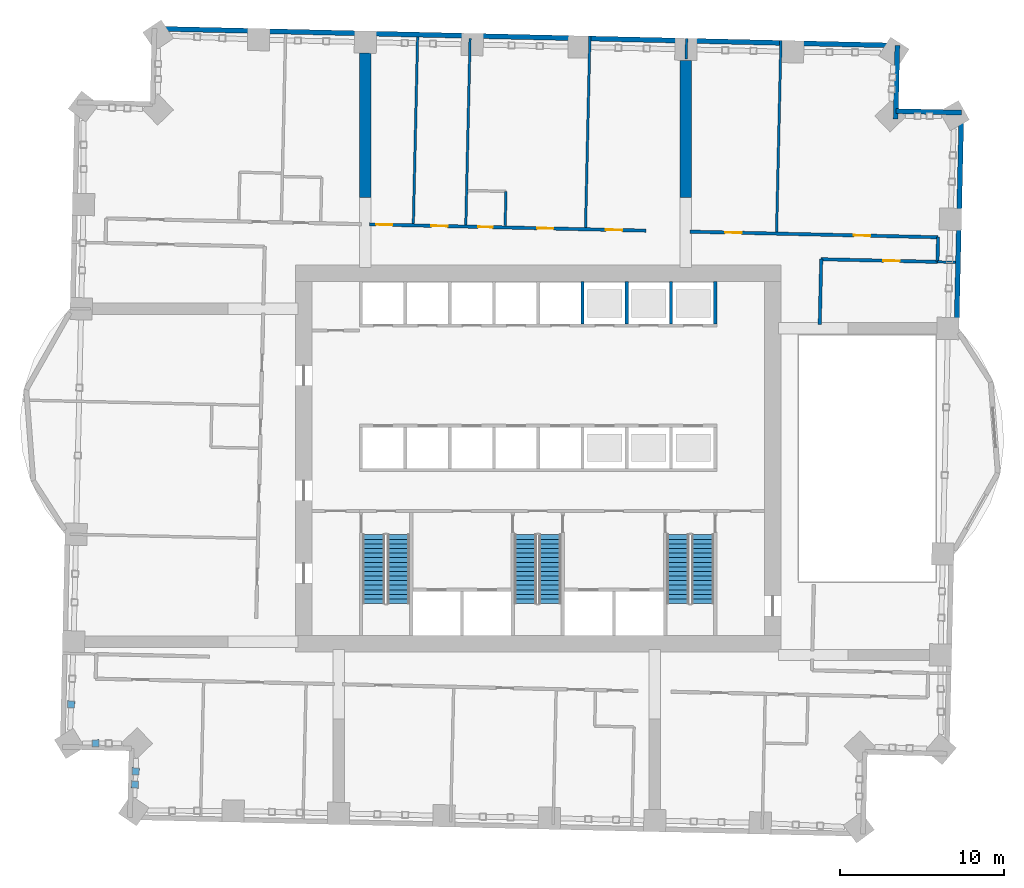
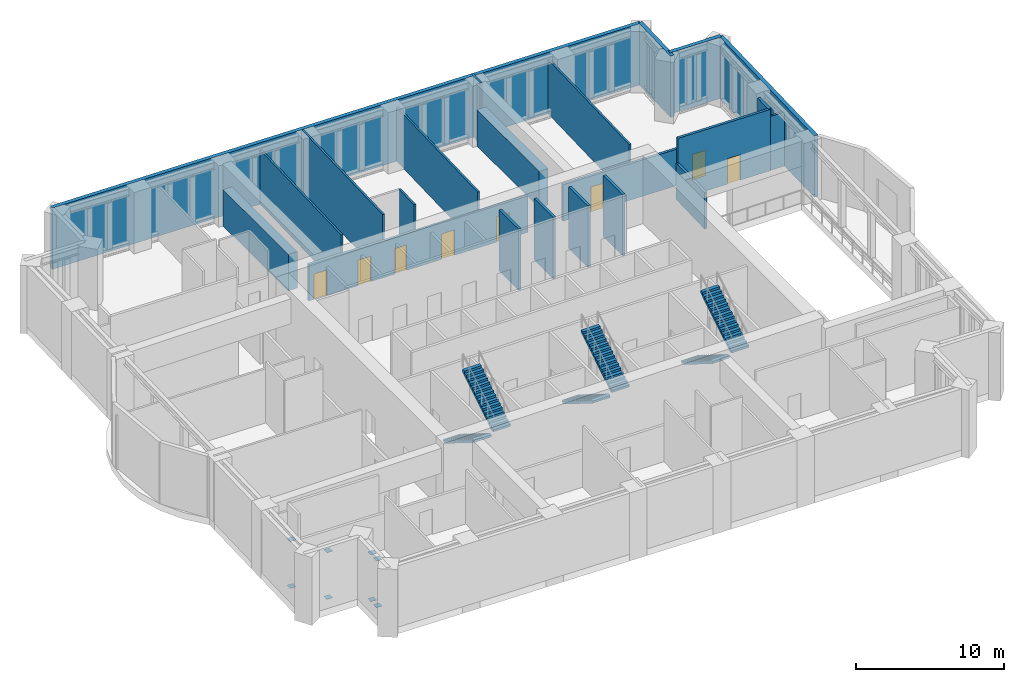
# One storey, part 9 of 13: 22 walls, 8 discrete accessories, 8 doors, 6 stair flights, 8 openings, 3 elements without a shape of their own.
"""IFC4 building model written with IfcOpenShell, lengths in metres."""

from ifc_helpers import new_model, si_unit, direction, frame, frame_2d, origin, origin_2d, place, context, subcontext, project, spatial, polyline, rectangle, outline, extrude, material, layer, layer_set, type_object, element, fill, aggregate, save


model = new_model("IFC4")

# Units and contexts
model_context = context("Model", 3, precision=1e-05, world=origin(), true_north=direction((0.0, 1.0)))
body_context = subcontext(model_context, "Body", "Model", "MODEL_VIEW")
ifc_project = project(units=[si_unit("LENGTHUNIT", "METRE"), si_unit("AREAUNIT", "SQUARE_METRE"), si_unit("VOLUMEUNIT", "CUBIC_METRE"), si_unit("PLANEANGLEUNIT", "RADIAN"), si_unit("MASSUNIT", "GRAM", prefix="KILO")], contexts=[model_context])

# Site, building, storey
site_placement = place(None, origin())
site = spatial("IfcSite", under=ifc_project, at=site_placement, CompositionType="ELEMENT")
building_placement = place(site_placement, origin())
building = spatial("IfcBuilding", under=site, at=building_placement, Name="Mangrove Gate Tower", CompositionType="ELEMENT")
storey_placement = place(building_placement, frame((0.0, 0.0, 119.89990234375)))
storey = spatial("IfcBuildingStorey", under=building, at=storey_placement, Name="L30", CompositionType="ELEMENT", Elevation=119.89990234375)

# Walls
ifc_material_1 = material(Name="Concrete C70/85", Category="concrete")
ifc_layer_1 = layer(ifc_material_1, 0.199951171875)
ifc_layer_set_1 = layer_set([ifc_layer_1], Name="Core shaft wall 200 C70/85")
wall_type_1 = type_object("IfcWallType", Name="Core shaft wall 200 C70/85", PredefinedType="SHEAR", material=ifc_layer_set_1)
for number, where, z_axis, x_axis, name in (
    (1, (2.699951171875, 8.199951171875, 0.0), (0.0, 0.0, 1.0), (0.0, 1.0, 0.0), "WALL-L30-CORE-33"),
    (2, (5.39990234375, 8.199951171875, 0.0), (0.0, 0.0, 1.0), (0.0, 1.0, 0.0), "WALL-L30-CORE-34"),
    (3, (8.10009765625, 8.199951171875, 0.0), (0.0, 0.0, 1.0), (0.0, 1.0, 0.0), "WALL-L30-CORE-35"),
    (4, (10.800048828125, 8.199951171875, 0.0), (0.0, 0.0, 1.0), (0.0, 1.0, 0.0), "WALL-L30-CORE-36"),
):
    element("IfcWall", number, at=place(storey_placement, frame(where, z_axis=z_axis, x_axis=x_axis)), inside=storey, type_object=wall_type_1, Name=name, PredefinedType="SHEAR", context=body_context, shape_type="SweptSolid", body=[
        extrude(rectangle(XDim=2.60009765625, YDim=0.199951171875, at=frame_2d((1.300048828125, 0.0))), origin(), (0.0, 0.0, 1.0), 5.050048828125),
    ])
ifc_material_2 = material(Name="Gypsum board on steel stud, EI 60", Category="steel")
ifc_layer_2 = layer(ifc_material_2, 0.199951171875)
ifc_layer_set_2 = layer_set([ifc_layer_2], Name="Corridor wall EI 60")
wall_type_2 = type_object("IfcWallType", Name="Corridor wall EI 60", PredefinedType="PARTITIONING", material=ifc_layer_set_2)
wall_1_placement = place(storey_placement, frame((17.1630859375, 8.169921875, 0.0), z_axis=(0.0, 0.0, 1.0), x_axis=(0.022573703938, 0.999745181479, 0.0)))
element("IfcWall", 5, at=wall_1_placement, inside=storey, type_object=wall_type_2, Name="WALL-L30-028", PredefinedType="PARTITIONING", context=body_context, shape_type="SweptSolid", body=[
    extrude(rectangle(XDim=3.97998046875, YDim=0.199951171875, at=frame_2d((1.989990234375, 0.0))), origin(), (0.0, 0.0, 1.0), 3.0),
])

# Wall, opening, door
wall_2_placement = place(storey_placement, frame((17.248046875, 12.14501953125, 0.0), z_axis=(0.0, 0.0, 1.0), x_axis=(0.999742350192, -0.022698749566, 0.0)))
wall_2 = element("IfcWall", 6, at=wall_2_placement, inside=storey, type_object=wall_type_2, Name="WALL-L30-032", PredefinedType="PARTITIONING", context=body_context, shape_type="SweptSolid", body=[
    extrude(rectangle(XDim=7.0986328125, YDim=0.199951171875, at=frame_2d((3.54931640625, 0.0))), origin(), (0.0, 0.0, 1.0), 5.050048828125),
])
opening_1_placement = place(wall_2_placement, frame((3.7900390625, 0.0, 0.0)))
opening_1 = element("IfcOpeningElement", 7, at=opening_1_placement, cuts=wall_2, Name="Opening AD", PredefinedType="OPENING", context=body_context, shape_type="SweptSolid", body=[
    extrude(rectangle(XDim=1.0, YDim=2.10009765625, at=frame_2d((0.5, 1.050048828125))), frame((0.0, 0.10986328125, 0.0), z_axis=(0.0, -1.0, 0.0), x_axis=(1.0, 0.0, 0.0)), (0.0, 0.0, 1.0), 0.219970703125),
])
ifc_material_3 = material(Name="Timber door leaf", Category="wood")
door_type_1 = type_object("IfcDoorType", Name="Amenity door 1000", OperationType="SINGLE_SWING_LEFT", PredefinedType="DOOR", material=ifc_material_3)
door_1_placement = place(opening_1_placement, origin())
door_1 = element("IfcDoor", 8, at=door_1_placement, inside=storey, type_object=door_type_1, Name="DOOR-L30-KIT-c3a", OperationType="SINGLE_SWING_LEFT", OverallHeight=2.10009765625, OverallWidth=1.0, PredefinedType="DOOR", context=body_context, shape_type="SweptSolid", body=[
    extrude(rectangle(XDim=1.0, YDim=2.10009765625, at=frame_2d((0.5, 1.050048828125))), frame((0.0, 0.02490234375, 0.0), z_axis=(0.0, -1.0, 0.0), x_axis=(1.0, 0.0, 0.0)), (0.0, 0.0, 1.0), 0.050048828125),
])
fill(opening_1, door_1)

# Wall
wall_3_placement = place(storey_placement, frame((24.341064453125, 11.988037109375, 0.0), z_axis=(0.0, 0.0, 1.0), x_axis=(0.022617910375, 0.999744182344, 0.0)))
element("IfcWall", 9, at=wall_3_placement, inside=storey, type_object=wall_type_2, Name="WALL-L30-035", PredefinedType="PARTITIONING", context=body_context, shape_type="SweptSolid", body=[
    extrude(rectangle(XDim=1.50048828125, YDim=0.199951171875, at=frame_2d((0.750244140625, 0.0))), origin(), (0.0, 0.0, 1.0), 5.050048828125),
])

# Wall, openings, doors
wall_4_placement = place(storey_placement, frame((-10.291015625, 14.27001953125, 0.0), z_axis=(0.0, 0.0, 1.0), x_axis=(0.999743654737, -0.022641219317, 0.0)))
wall_4 = element("IfcWall", 10, at=wall_4_placement, inside=storey, type_object=wall_type_2, Name="WALL-L30-037", PredefinedType="PARTITIONING", context=body_context, shape_type="SweptSolid", body=[
    extrude(rectangle(XDim=16.87548828125, YDim=0.199951171875, at=frame_2d((8.437744140625, 0.0))), origin(), (0.0, 0.0, 1.0), 3.0),
])
opening_2_placement = place(wall_4_placement, frame((14.4208984375, 0.0, 0.0)))
opening_2 = element("IfcOpeningElement", 11, at=opening_2_placement, cuts=wall_4, Name="Opening AD", PredefinedType="OPENING", context=body_context, shape_type="SweptSolid", body=[
    extrude(rectangle(XDim=1.0, YDim=2.10009765625, at=frame_2d((0.5, 1.050048828125))), frame((0.0, 0.10986328125, 0.0), z_axis=(0.0, -1.0, 0.0), x_axis=(1.0, 0.0, 0.0)), (0.0, 0.0, 1.0), 0.219970703125),
])
opening_3_placement = place(wall_4_placement, frame((10.220947265625, 0.0, 0.0)))
opening_3 = element("IfcOpeningElement", 12, at=opening_3_placement, cuts=wall_4, Name="Opening AD", PredefinedType="OPENING", context=body_context, shape_type="SweptSolid", body=[
    extrude(rectangle(XDim=1.0, YDim=2.10009765625, at=frame_2d((0.5, 1.050048828125))), frame((0.0, 0.10986328125, 0.0), z_axis=(0.0, -1.0, 0.0), x_axis=(1.0, 0.0, 0.0)), (0.0, 0.0, 1.0), 0.219970703125),
])
opening_4_placement = place(wall_4_placement, frame((6.62109375, 0.0, 0.0)))
opening_4 = element("IfcOpeningElement", 13, at=opening_4_placement, cuts=wall_4, Name="Opening SD", PredefinedType="OPENING", context=body_context, shape_type="SweptSolid", body=[
    extrude(rectangle(XDim=0.89990234375, YDim=2.10009765625, at=frame_2d((0.449951171875, 1.050048828125))), frame((0.0, 0.10986328125, 0.0), z_axis=(0.0, -1.0, 0.0), x_axis=(1.0, 0.0, 0.0)), (0.0, 0.0, 1.0), 0.219970703125),
])
opening_5_placement = place(wall_4_placement, frame((3.77099609375, 0.0, 0.0)))
opening_5 = element("IfcOpeningElement", 14, at=opening_5_placement, cuts=wall_4, Name="Opening AD", PredefinedType="OPENING", context=body_context, shape_type="SweptSolid", body=[
    extrude(rectangle(XDim=1.0, YDim=2.10009765625, at=frame_2d((0.5, 1.050048828125))), frame((0.0, 0.10986328125, 0.0), z_axis=(0.0, -1.0, 0.0), x_axis=(1.0, 0.0, 0.0)), (0.0, 0.0, 1.0), 0.219970703125),
])
opening_6_placement = place(wall_4_placement, frame((0.404052734375, 0.0, 0.0)))
opening_6 = element("IfcOpeningElement", 15, at=opening_6_placement, cuts=wall_4, Name="Opening AD", PredefinedType="OPENING", context=body_context, shape_type="SweptSolid", body=[
    extrude(rectangle(XDim=1.0, YDim=2.10009765625, at=frame_2d((0.5, 1.050048828125))), frame((0.0, 0.10986328125, 0.0), z_axis=(0.0, -1.0, 0.0), x_axis=(1.0, 0.0, 0.0)), (0.0, 0.0, 1.0), 0.219970703125),
])
door_2_placement = place(opening_2_placement, origin())
door_2 = element("IfcDoor", 16, at=door_2_placement, inside=storey, type_object=door_type_1, Name="DOOR-L30-KIT-c3c", OperationType="SINGLE_SWING_RIGHT", OverallHeight=2.10009765625, OverallWidth=1.0, PredefinedType="DOOR", context=body_context, shape_type="SweptSolid", body=[
    extrude(rectangle(XDim=1.0, YDim=2.10009765625, at=frame_2d((0.5, 1.050048828125))), frame((0.0, 0.02490234375, 0.0), z_axis=(0.0, -1.0, 0.0), x_axis=(1.0, 0.0, 0.0)), (0.0, 0.0, 1.0), 0.050048828125),
])
fill(opening_2, door_2)
door_3_placement = place(opening_3_placement, origin())
door_3 = element("IfcDoor", 17, at=door_3_placement, inside=storey, type_object=door_type_1, Name="DOOR-L30-GAM-c4a", OperationType="SINGLE_SWING_LEFT", OverallHeight=2.10009765625, OverallWidth=1.0, PredefinedType="DOOR", context=body_context, shape_type="SweptSolid", body=[
    extrude(rectangle(XDim=1.0, YDim=2.10009765625, at=frame_2d((0.5, 1.050048828125))), frame((0.0, 0.02490234375, 0.0), z_axis=(0.0, -1.0, 0.0), x_axis=(1.0, 0.0, 0.0)), (0.0, 0.0, 1.0), 0.050048828125),
])
fill(opening_3, door_3)
door_4_placement = place(opening_5_placement, origin())
door_4 = element("IfcDoor", 18, at=door_4_placement, inside=storey, type_object=door_type_1, Name="DOOR-L30-STU-c4a", OperationType="SINGLE_SWING_RIGHT", OverallHeight=2.10009765625, OverallWidth=1.0, PredefinedType="DOOR", context=body_context, shape_type="SweptSolid", body=[
    extrude(rectangle(XDim=1.0, YDim=2.10009765625, at=frame_2d((0.5, 1.050048828125))), frame((0.0, 0.02490234375, 0.0), z_axis=(0.0, -1.0, 0.0), x_axis=(1.0, 0.0, 0.0)), (0.0, 0.0, 1.0), 0.050048828125),
])
fill(opening_5, door_4)
door_5_placement = place(opening_6_placement, origin())
door_5 = element("IfcDoor", 19, at=door_5_placement, inside=storey, type_object=door_type_1, Name="DOOR-L30-LNG-c4a", OperationType="SINGLE_SWING_LEFT", OverallHeight=2.10009765625, OverallWidth=1.0, PredefinedType="DOOR", context=body_context, shape_type="SweptSolid", body=[
    extrude(rectangle(XDim=1.0, YDim=2.10009765625, at=frame_2d((0.5, 1.050048828125))), frame((0.0, 0.02490234375, 0.0), z_axis=(0.0, -1.0, 0.0), x_axis=(1.0, 0.0, 0.0)), (0.0, 0.0, 1.0), 0.050048828125),
])
fill(opening_6, door_5)
ifc_material_4 = material(Name="Timber door leaf", Category="wood")
door_type_2 = type_object("IfcDoorType", Name="Service room door 900", OperationType="SINGLE_SWING_LEFT", PredefinedType="DOOR", material=ifc_material_4)
door_6_placement = place(opening_4_placement, origin())
door_6 = element("IfcDoor", 20, at=door_6_placement, inside=storey, type_object=door_type_2, Name="DOOR-L30-LIN-c4a", OperationType="SINGLE_SWING_LEFT", OverallHeight=2.10009765625, OverallWidth=0.89990234375, PredefinedType="DOOR", context=body_context, shape_type="SweptSolid", body=[
    extrude(rectangle(XDim=0.89990234375, YDim=2.10009765625, at=frame_2d((0.449951171875, 1.050048828125))), frame((0.0, 0.02490234375, 0.0), z_axis=(0.0, -1.0, 0.0), x_axis=(1.0, 0.0, 0.0)), (0.0, 0.0, 1.0), 0.050048828125),
])
fill(opening_4, door_6)

wall_5_placement = place(storey_placement, frame((9.2509765625, 13.826904296875, 0.0), z_axis=(0.0, 0.0, 1.0), x_axis=(0.999743033601, -0.022668629562, 0.0)))
wall_5 = element("IfcWall", 21, at=wall_5_placement, inside=storey, type_object=wall_type_2, Name="WALL-L30-038", PredefinedType="PARTITIONING", context=body_context, shape_type="SweptSolid", body=[
    extrude(rectangle(XDim=15.1318359375, YDim=0.199951171875, at=frame_2d((7.56591796875, 0.0))), origin(), (0.0, 0.0, 1.0), 3.0),
])
opening_7_placement = place(wall_5_placement, frame((10.0009765625, 0.0, 0.0)))
opening_7 = element("IfcOpeningElement", 22, at=opening_7_placement, cuts=wall_5, Name="Opening AD", PredefinedType="OPENING", context=body_context, shape_type="SweptSolid", body=[
    extrude(rectangle(XDim=1.0, YDim=2.10009765625, at=frame_2d((0.5, 1.050048828125))), frame((0.0, 0.10986328125, 0.0), z_axis=(0.0, -1.0, 0.0), x_axis=(1.0, 0.0, 0.0)), (0.0, 0.0, 1.0), 0.219970703125),
])
opening_8_placement = place(wall_5_placement, frame((2.14599609375, 0.0, 0.0)))
opening_8 = element("IfcOpeningElement", 23, at=opening_8_placement, cuts=wall_5, Name="Opening AD", PredefinedType="OPENING", context=body_context, shape_type="SweptSolid", body=[
    extrude(rectangle(XDim=1.0, YDim=2.10009765625, at=frame_2d((0.5, 1.050048828125))), frame((0.0, 0.10986328125, 0.0), z_axis=(0.0, -1.0, 0.0), x_axis=(1.0, 0.0, 0.0)), (0.0, 0.0, 1.0), 0.219970703125),
])
door_7_placement = place(opening_7_placement, origin())
door_7 = element("IfcDoor", 24, at=door_7_placement, inside=storey, type_object=door_type_1, Name="DOOR-L30-GAM-c3a", OperationType="SINGLE_SWING_RIGHT", OverallHeight=2.10009765625, OverallWidth=1.0, PredefinedType="DOOR", context=body_context, shape_type="SweptSolid", body=[
    extrude(rectangle(XDim=1.0, YDim=2.10009765625, at=frame_2d((0.5, 1.050048828125))), frame((0.0, 0.02490234375, 0.0), z_axis=(0.0, -1.0, 0.0), x_axis=(1.0, 0.0, 0.0)), (0.0, 0.0, 1.0), 0.050048828125),
])
fill(opening_7, door_7)
door_8_placement = place(opening_8_placement, origin())
door_8 = element("IfcDoor", 25, at=door_8_placement, inside=storey, type_object=door_type_1, Name="DOOR-L30-KIT-c3b", OperationType="SINGLE_SWING_LEFT", OverallHeight=2.10009765625, OverallWidth=1.0, PredefinedType="DOOR", context=body_context, shape_type="SweptSolid", body=[
    extrude(rectangle(XDim=1.0, YDim=2.10009765625, at=frame_2d((0.5, 1.050048828125))), frame((0.0, 0.02490234375, 0.0), z_axis=(0.0, -1.0, 0.0), x_axis=(1.0, 0.0, 0.0)), (0.0, 0.0, 1.0), 0.050048828125),
])
fill(opening_8, door_8)

# Walls
ifc_material_5 = material(Name="Limestone", Category="masonry")
ifc_layer_3 = layer(ifc_material_5, 0.0400390625, Name="Limestone cladding")
ifc_material_6 = material(Name="Ventilated air gap")
ifc_layer_4 = layer(ifc_material_6, 0.0400390625, Name="Ventilated cavity")
ifc_material_7 = material(Name="Mineral wool insulation")
ifc_layer_5 = layer(ifc_material_7, 0.06005859375, Name="Insulation")
ifc_material_8 = material(Name="Breather membrane")
ifc_layer_6 = layer(ifc_material_8, 0.001953125, Name="Breather membrane")
ifc_material_9 = material(Name="Concrete C20/25 blockwork", Category="masonry")
ifc_layer_7 = layer(ifc_material_9, 0.14990234375, Name="Blockwork backing wall")
ifc_material_10 = material(Name="Gypsum plaster")
ifc_layer_8 = layer(ifc_material_10, 0.008056640625, Name="Internal plaster")
ifc_layer_set_3 = layer_set([ifc_layer_3, ifc_layer_4, ifc_layer_5, ifc_layer_6, ifc_layer_7, ifc_layer_8], Name="External wall 300 limestone cladding")
wall_type_3 = type_object("IfcWallType", Name="External wall 300 limestone cladding", PredefinedType="SOLIDWALL", material=ifc_layer_set_3)
wall_6_placement = place(storey_placement, frame((25.498046875, 7.69091796875, 0.0), z_axis=(0.0, 0.0, 1.0), x_axis=(0.022690769161, 0.999742531352, 0.0)))
element("IfcWall", 26, at=wall_6_placement, inside=storey, type_object=wall_type_3, Name="WALL-L30-E2s1", PredefinedType="SOLIDWALL", context=body_context, shape_type="SweptSolid", body=[
    extrude(rectangle(XDim=13.3955078125, YDim=0.300048828125, at=frame_2d((6.69775390625, 0.0))), origin(), (0.0, 0.0, 1.0), 5.050048828125),
])
wall_7_placement = place(storey_placement, frame((25.802001953125, 21.0830078125, 0.0), z_axis=(0.0, 0.0, 1.0), x_axis=(-0.999740826251, 0.022765770952, 0.0)))
element("IfcWall", 27, at=wall_7_placement, inside=storey, type_object=wall_type_3, Name="WALL-L30-N3", PredefinedType="SOLIDWALL", context=body_context, shape_type="SweptSolid", body=[
    extrude(rectangle(XDim=4.0, YDim=0.300048828125, at=frame_2d((2.0, 0.0))), origin(), (0.0, 0.0, 1.0), 5.050048828125),
])
wall_8_placement = place(storey_placement, frame((21.7919921875, 20.68798828125, 0.0), z_axis=(0.0, 0.0, 1.0), x_axis=(0.022747364896, 0.999741245218, 0.0)))
element("IfcWall", 28, at=wall_8_placement, inside=storey, type_object=wall_type_3, Name="WALL-L30-E4s1", PredefinedType="SOLIDWALL", context=body_context, shape_type="SweptSolid", body=[
    extrude(rectangle(XDim=4.486328125, YDim=0.300048828125, at=frame_2d((2.2431640625, 0.0))), origin(), (0.0, 0.0, 1.0), 5.050048828125),
])
wall_9_placement = place(storey_placement, frame((21.89404296875, 25.173095703125, 0.0), z_axis=(0.0, 0.0, 1.0), x_axis=(-0.999742661083, 0.022685052594, 0.0)))
element("IfcWall", 29, at=wall_9_placement, inside=storey, type_object=wall_type_3, Name="WALL-L30-N5", PredefinedType="SOLIDWALL", context=body_context, shape_type="SweptSolid", body=[
    extrude(rectangle(XDim=45.308837890625, YDim=0.300048828125, at=frame_2d((22.654296875, 0.0))), origin(), (0.0, 0.0, 1.0), 5.050048828125),
])
ifc_material_11 = material(Name="Concrete C70/85", Category="concrete")
ifc_layer_9 = layer(ifc_material_11, 0.699951171875)
ifc_layer_set_4 = layer_set([ifc_layer_9], Name="Outrigger wall 700 C70/85")
wall_type_4 = type_object("IfcWallType", Name="Outrigger wall 700 C70/85", PredefinedType="SHEAR", material=ifc_layer_set_4)
wall_10_placement = place(storey_placement, frame((9.004638671875, 15.89990234375, 0.0), z_axis=(0.0, 0.0, 1.0), x_axis=(0.0, 1.0, 0.0)))
element("IfcWall", 30, at=wall_10_placement, inside=storey, type_object=wall_type_4, Name="Outrigger wall L30 OR3 pier", PredefinedType="SHEAR", context=body_context, shape_type="SweptSolid", body=[
    extrude(rectangle(XDim=8.364990234375, YDim=0.699951171875, at=frame_2d((4.1826171875, 0.0))), origin(), (0.0, 0.0, 1.0), 3.0),
])
wall_11_placement = place(storey_placement, frame((-10.537353515625, 15.89990234375, 0.0), z_axis=(0.0, 0.0, 1.0), x_axis=(0.0, 1.0, 0.0)))
element("IfcWall", 31, at=wall_11_placement, inside=storey, type_object=wall_type_4, Name="Outrigger wall L30 OR7 pier", PredefinedType="SHEAR", context=body_context, shape_type="SweptSolid", body=[
    extrude(rectangle(XDim=8.80908203125, YDim=0.699951171875, at=frame_2d((4.404541015625, 0.0))), origin(), (0.0, 0.0, 1.0), 3.0),
])
ifc_material_12 = material(Name="Gypsum board on steel stud, EI 60", Category="steel")
ifc_layer_10 = layer(ifc_material_12, 0.14990234375)
ifc_layer_set_5 = layer_set([ifc_layer_10], Name="Party wall 150 EI 60")
wall_type_5 = type_object("IfcWallType", Name="Party wall 150 EI 60", PredefinedType="PARTITIONING", material=ifc_layer_set_5)
wall_12_placement = place(storey_placement, frame((24.344970703125, 11.98388671875, 0.0), z_axis=(0.0, 0.0, 1.0), x_axis=(0.9997438932, -0.022630687329, 0.0)))
element("IfcWall", 32, at=wall_12_placement, inside=storey, type_object=wall_type_5, Name="WALL-L30-033", PredefinedType="PARTITIONING", context=body_context, shape_type="SweptSolid", body=[
    extrude(rectangle(XDim=1.100341796875, YDim=0.14990234375, at=frame_2d((0.55029296875, 0.0))), origin(), (0.0, 0.0, 1.0), 4.4501953125),
])
wall_13_placement = place(storey_placement, frame((-7.614013671875, 14.31396484375, 0.0), z_axis=(0.0, 0.0, 1.0), x_axis=(0.022684355347, 0.999742676904, 0.0)))
element("IfcWall", 33, at=wall_13_placement, inside=storey, type_object=wall_type_5, Name="WALL-L30-042", PredefinedType="PARTITIONING", context=body_context, shape_type="SweptSolid", body=[
    extrude(rectangle(XDim=11.3759765625, YDim=0.14990234375, at=frame_2d((5.68798828125, 0.0))), origin(), (0.0, 0.0, 1.0), 4.4501953125),
])
wall_14_placement = place(storey_placement, frame((-4.4150390625, 14.240966796875, 0.0), z_axis=(0.0, 0.0, 1.0), x_axis=(0.022684355347, 0.999742676904, 0.0)))
element("IfcWall", 34, at=wall_14_placement, inside=storey, type_object=wall_type_5, Name="WALL-L30-043", PredefinedType="PARTITIONING", context=body_context, shape_type="SweptSolid", body=[
    extrude(rectangle(XDim=11.3759765625, YDim=0.14990234375, at=frame_2d((5.68798828125, 0.0))), origin(), (0.0, 0.0, 1.0), 5.050048828125),
])
wall_15_placement = place(storey_placement, frame((-2.01611328125, 14.18701171875, 0.0), z_axis=(0.0, 0.0, 1.0), x_axis=(0.022908956429, 0.999737555419, 0.0)))
element("IfcWall", 35, at=wall_15_placement, inside=storey, type_object=wall_type_5, Name="WALL-L30-044", PredefinedType="PARTITIONING", context=body_context, shape_type="SweptSolid", body=[
    extrude(rectangle(XDim=2.099365234375, YDim=0.14990234375, at=frame_2d((1.0498046875, 0.0))), origin(), (0.0, 0.0, 1.0), 5.050048828125),
])
wall_16_placement = place(storey_placement, frame((2.883056640625, 14.074951171875, 0.0), z_axis=(0.0, 0.0, 1.0), x_axis=(0.022686732602, 0.99974262296, 0.0)))
element("IfcWall", 36, at=wall_16_placement, inside=storey, type_object=wall_type_5, Name="WALL-L30-045", PredefinedType="PARTITIONING", context=body_context, shape_type="SweptSolid", body=[
    extrude(rectangle(XDim=11.676025390625, YDim=0.14990234375, at=frame_2d((5.837890625, 0.0))), origin(), (0.0, 0.0, 1.0), 4.4501953125),
])
wall_17_placement = place(storey_placement, frame((14.530029296875, 13.81103515625, 0.0), z_axis=(0.0, 0.0, 1.0), x_axis=(0.022687206857, 0.999742612198, 0.0)))
element("IfcWall", 37, at=wall_17_placement, inside=storey, type_object=wall_type_5, Name="WALL-L30-046", PredefinedType="PARTITIONING", context=body_context, shape_type="SweptSolid", body=[
    extrude(rectangle(XDim=11.67578125, YDim=0.14990234375, at=frame_2d((5.837890625, 0.0))), origin(), (0.0, 0.0, 1.0), 4.4501953125),
])
wall_18_placement = place(storey_placement, frame((9.01806640625, 24.364990234375, 0.0), z_axis=(0.0, 0.0, 1.0), x_axis=(0.02226010787, 0.9997522131, 0.0)))
element("IfcWall", 38, at=wall_18_placement, inside=storey, type_object=wall_type_5, Name="WALL-L30-050", PredefinedType="PARTITIONING", context=body_context, shape_type="SweptSolid", body=[
    extrude(rectangle(XDim=1.250244140625, YDim=0.14990234375, at=frame_2d((0.625, 0.0))), origin(), (0.0, 0.0, 1.0), 5.050048828125),
])

# Stair, stair flights
ifc_material_13 = material(Name="Concrete C40/50", Category="concrete")
stair_type = type_object("IfcStairType", Name="Core stair 1350", PredefinedType="HALF_TURN_STAIR", material=ifc_material_13)
stair_1_placement = place(storey_placement, origin())
stair_1 = element("IfcStair", 39, at=stair_1_placement, inside=storey, type_object=stair_type, Name="L30 Stair 1", PredefinedType="HALF_TURN_STAIR")
ifc_material_14 = material(Name="Concrete C40/50", Category="concrete")
stair_flight_type = type_object("IfcStairFlightType", Name="Core stair flight 1350", PredefinedType="STRAIGHT", material=ifc_material_14)
stair_flight_1_placement = place(storey_placement, frame((-10.02490234375, -4.64990234375, 0.0), z_axis=(0.0, 0.0, 1.0), x_axis=(0.0, -1.0, 0.0)))
stair_flight_1 = element("IfcStairFlight", 40, at=stair_flight_1_placement, type_object=stair_flight_type, Name="ST1 flight 1", NumberOfRisers=16, NumberOfTreads=15, PredefinedType="STRAIGHT", RiserHeight=0.175, TreadLength=0.28, context=body_context, shape_type="SweptSolid", body=[
    extrude(outline(polyline([(0.0, 0.0), (0.0, 0.175048828125), (0.280029296875, 0.175048828125), (0.280029296875, 0.35009765625), (0.56005859375, 0.35009765625), (0.56005859375, 0.52490234375), (0.840087890625, 0.52490234375), (0.840087890625, 0.699951171875), (1.1201171875, 0.699951171875), (1.1201171875, 0.875), (1.39990234375, 0.875), (1.39990234375, 1.050048828125), (1.679931640625, 1.050048828125), (1.679931640625, 1.22509765625), (1.9599609375, 1.22509765625), (1.9599609375, 1.39990234375), (2.239990234375, 1.39990234375), (2.239990234375, 1.574951171875), (2.52001953125, 1.574951171875), (2.52001953125, 1.75), (2.800048828125, 1.75), (2.800048828125, 1.925048828125), (3.080078125, 1.925048828125), (3.080078125, 2.10009765625), (3.360107421875, 2.10009765625), (3.360107421875, 2.27490234375), (3.639892578125, 2.27490234375), (3.639892578125, 2.449951171875), (3.919921875, 2.449951171875), (3.919921875, 2.625), (4.199951171875, 2.625), (4.199951171875, 2.800048828125), (4.199951171875, 2.4482421875), (0.28271484375, 0.0), (0.0, 0.0)])), frame((0.0, 0.675048828125, 0.0), z_axis=(0.0, -1.0, 0.0), x_axis=(1.0, 0.0, 0.0)), (0.0, 0.0, 1.0), 1.35009765625),
])
stair_flight_2_placement = place(storey_placement, frame((-8.52490234375, -8.85009765625, 2.800048828125), z_axis=(0.0, 0.0, 1.0), x_axis=(0.0, 1.0, 0.0)))
stair_flight_2 = element("IfcStairFlight", 41, at=stair_flight_2_placement, type_object=stair_flight_type, Name="ST1 flight 2", NumberOfRisers=16, NumberOfTreads=15, PredefinedType="STRAIGHT", RiserHeight=0.175, TreadLength=0.28, context=body_context, shape_type="SweptSolid", body=[
    extrude(outline(polyline([(0.0, 0.0), (0.0, 0.175048828125), (0.280029296875, 0.175048828125), (0.280029296875, 0.35009765625), (0.56005859375, 0.35009765625), (0.56005859375, 0.52490234375), (0.840087890625, 0.52490234375), (0.840087890625, 0.699951171875), (1.1201171875, 0.699951171875), (1.1201171875, 0.875), (1.39990234375, 0.875), (1.39990234375, 1.050048828125), (1.679931640625, 1.050048828125), (1.679931640625, 1.22509765625), (1.9599609375, 1.22509765625), (1.9599609375, 1.39990234375), (2.239990234375, 1.39990234375), (2.239990234375, 1.574951171875), (2.52001953125, 1.574951171875), (2.52001953125, 1.75), (2.800048828125, 1.75), (2.800048828125, 1.925048828125), (3.080078125, 1.925048828125), (3.080078125, 2.10009765625), (3.360107421875, 2.10009765625), (3.360107421875, 2.27490234375), (3.639892578125, 2.27490234375), (3.639892578125, 2.449951171875), (3.919921875, 2.449951171875), (3.919921875, 2.625), (4.199951171875, 2.625), (4.199951171875, 2.800048828125), (4.199951171875, 2.4482421875), (0.28271484375, 0.0), (0.0, 0.0)])), frame((0.0, 0.675048828125, 0.0), z_axis=(0.0, -1.0, 0.0), x_axis=(1.0, 0.0, 0.0)), (0.0, 0.0, 1.0), 1.35009765625),
])
aggregate(stair_1, [stair_flight_1, stair_flight_2])

stair_2_placement = place(storey_placement, origin())
stair_2 = element("IfcStair", 42, at=stair_2_placement, inside=storey, type_object=stair_type, Name="L30 Stair 2", PredefinedType="HALF_TURN_STAIR")
stair_flight_3_placement = place(storey_placement, frame((-0.77490234375, -4.64990234375, 0.0), z_axis=(0.0, 0.0, 1.0), x_axis=(0.0, -1.0, 0.0)))
stair_flight_3 = element("IfcStairFlight", 43, at=stair_flight_3_placement, type_object=stair_flight_type, Name="ST2 flight 1", NumberOfRisers=16, NumberOfTreads=15, PredefinedType="STRAIGHT", RiserHeight=0.175, TreadLength=0.28, context=body_context, shape_type="SweptSolid", body=[
    extrude(outline(polyline([(0.0, 0.0), (0.0, 0.175048828125), (0.280029296875, 0.175048828125), (0.280029296875, 0.35009765625), (0.56005859375, 0.35009765625), (0.56005859375, 0.52490234375), (0.840087890625, 0.52490234375), (0.840087890625, 0.699951171875), (1.1201171875, 0.699951171875), (1.1201171875, 0.875), (1.39990234375, 0.875), (1.39990234375, 1.050048828125), (1.679931640625, 1.050048828125), (1.679931640625, 1.22509765625), (1.9599609375, 1.22509765625), (1.9599609375, 1.39990234375), (2.239990234375, 1.39990234375), (2.239990234375, 1.574951171875), (2.52001953125, 1.574951171875), (2.52001953125, 1.75), (2.800048828125, 1.75), (2.800048828125, 1.925048828125), (3.080078125, 1.925048828125), (3.080078125, 2.10009765625), (3.360107421875, 2.10009765625), (3.360107421875, 2.27490234375), (3.639892578125, 2.27490234375), (3.639892578125, 2.449951171875), (3.919921875, 2.449951171875), (3.919921875, 2.625), (4.199951171875, 2.625), (4.199951171875, 2.800048828125), (4.199951171875, 2.4482421875), (0.28271484375, 0.0), (0.0, 0.0)])), frame((0.0, 0.675048828125, 0.0), z_axis=(0.0, -1.0, 0.0), x_axis=(1.0, 0.0, 0.0)), (0.0, 0.0, 1.0), 1.35009765625),
])
stair_flight_4_placement = place(storey_placement, frame((0.72509765625, -8.85009765625, 2.800048828125), z_axis=(0.0, 0.0, 1.0), x_axis=(0.0, 1.0, 0.0)))
stair_flight_4 = element("IfcStairFlight", 44, at=stair_flight_4_placement, type_object=stair_flight_type, Name="ST2 flight 2", NumberOfRisers=16, NumberOfTreads=15, PredefinedType="STRAIGHT", RiserHeight=0.175, TreadLength=0.28, context=body_context, shape_type="SweptSolid", body=[
    extrude(outline(polyline([(0.0, 0.0), (0.0, 0.175048828125), (0.280029296875, 0.175048828125), (0.280029296875, 0.35009765625), (0.56005859375, 0.35009765625), (0.56005859375, 0.52490234375), (0.840087890625, 0.52490234375), (0.840087890625, 0.699951171875), (1.1201171875, 0.699951171875), (1.1201171875, 0.875), (1.39990234375, 0.875), (1.39990234375, 1.050048828125), (1.679931640625, 1.050048828125), (1.679931640625, 1.22509765625), (1.9599609375, 1.22509765625), (1.9599609375, 1.39990234375), (2.239990234375, 1.39990234375), (2.239990234375, 1.574951171875), (2.52001953125, 1.574951171875), (2.52001953125, 1.75), (2.800048828125, 1.75), (2.800048828125, 1.925048828125), (3.080078125, 1.925048828125), (3.080078125, 2.10009765625), (3.360107421875, 2.10009765625), (3.360107421875, 2.27490234375), (3.639892578125, 2.27490234375), (3.639892578125, 2.449951171875), (3.919921875, 2.449951171875), (3.919921875, 2.625), (4.199951171875, 2.625), (4.199951171875, 2.800048828125), (4.199951171875, 2.4482421875), (0.28271484375, 0.0), (0.0, 0.0)])), frame((0.0, 0.675048828125, 0.0), z_axis=(0.0, -1.0, 0.0), x_axis=(1.0, 0.0, 0.0)), (0.0, 0.0, 1.0), 1.35009765625),
])
aggregate(stair_2, [stair_flight_3, stair_flight_4])

stair_3_placement = place(storey_placement, origin())
stair_3 = element("IfcStair", 45, at=stair_3_placement, inside=storey, type_object=stair_type, Name="L30 Stair 3", PredefinedType="HALF_TURN_STAIR")
stair_flight_5_placement = place(storey_placement, frame((8.52490234375, -4.64990234375, 0.0), z_axis=(0.0, 0.0, 1.0), x_axis=(0.0, -1.0, 0.0)))
stair_flight_5 = element("IfcStairFlight", 46, at=stair_flight_5_placement, type_object=stair_flight_type, Name="ST3 flight 1", NumberOfRisers=16, NumberOfTreads=15, PredefinedType="STRAIGHT", RiserHeight=0.175, TreadLength=0.28, context=body_context, shape_type="SweptSolid", body=[
    extrude(outline(polyline([(0.0, 0.0), (0.0, 0.175048828125), (0.280029296875, 0.175048828125), (0.280029296875, 0.35009765625), (0.56005859375, 0.35009765625), (0.56005859375, 0.52490234375), (0.840087890625, 0.52490234375), (0.840087890625, 0.699951171875), (1.1201171875, 0.699951171875), (1.1201171875, 0.875), (1.39990234375, 0.875), (1.39990234375, 1.050048828125), (1.679931640625, 1.050048828125), (1.679931640625, 1.22509765625), (1.9599609375, 1.22509765625), (1.9599609375, 1.39990234375), (2.239990234375, 1.39990234375), (2.239990234375, 1.574951171875), (2.52001953125, 1.574951171875), (2.52001953125, 1.75), (2.800048828125, 1.75), (2.800048828125, 1.925048828125), (3.080078125, 1.925048828125), (3.080078125, 2.10009765625), (3.360107421875, 2.10009765625), (3.360107421875, 2.27490234375), (3.639892578125, 2.27490234375), (3.639892578125, 2.449951171875), (3.919921875, 2.449951171875), (3.919921875, 2.625), (4.199951171875, 2.625), (4.199951171875, 2.800048828125), (4.199951171875, 2.4482421875), (0.28271484375, 0.0), (0.0, 0.0)])), frame((0.0, 0.675048828125, 0.0), z_axis=(0.0, -1.0, 0.0), x_axis=(1.0, 0.0, 0.0)), (0.0, 0.0, 1.0), 1.35009765625),
])
stair_flight_6_placement = place(storey_placement, frame((10.02490234375, -8.85009765625, 2.800048828125), z_axis=(0.0, 0.0, 1.0), x_axis=(0.0, 1.0, 0.0)))
stair_flight_6 = element("IfcStairFlight", 47, at=stair_flight_6_placement, type_object=stair_flight_type, Name="ST3 flight 2", NumberOfRisers=16, NumberOfTreads=15, PredefinedType="STRAIGHT", RiserHeight=0.175, TreadLength=0.28, context=body_context, shape_type="SweptSolid", body=[
    extrude(outline(polyline([(0.0, 0.0), (0.0, 0.175048828125), (0.280029296875, 0.175048828125), (0.280029296875, 0.35009765625), (0.56005859375, 0.35009765625), (0.56005859375, 0.52490234375), (0.840087890625, 0.52490234375), (0.840087890625, 0.699951171875), (1.1201171875, 0.699951171875), (1.1201171875, 0.875), (1.39990234375, 0.875), (1.39990234375, 1.050048828125), (1.679931640625, 1.050048828125), (1.679931640625, 1.22509765625), (1.9599609375, 1.22509765625), (1.9599609375, 1.39990234375), (2.239990234375, 1.39990234375), (2.239990234375, 1.574951171875), (2.52001953125, 1.574951171875), (2.52001953125, 1.75), (2.800048828125, 1.75), (2.800048828125, 1.925048828125), (3.080078125, 1.925048828125), (3.080078125, 2.10009765625), (3.360107421875, 2.10009765625), (3.360107421875, 2.27490234375), (3.639892578125, 2.27490234375), (3.639892578125, 2.449951171875), (3.919921875, 2.449951171875), (3.919921875, 2.625), (4.199951171875, 2.625), (4.199951171875, 2.800048828125), (4.199951171875, 2.4482421875), (0.28271484375, 0.0), (0.0, 0.0)])), frame((0.0, 0.675048828125, 0.0), z_axis=(0.0, -1.0, 0.0), x_axis=(1.0, 0.0, 0.0)), (0.0, 0.0, 1.0), 1.35009765625),
])
aggregate(stair_3, [stair_flight_5, stair_flight_6])

# Discrete accessories
ifc_material_15 = material(Name="Steel S355J2H", Category="steel")
ifc_layer_11 = layer(ifc_material_15, 0.02001953125)
ifc_layer_set_6 = layer_set([ifc_layer_11], Name="Belt truss end plate 440x440x20")
discrete_accessory_type = type_object("IfcDiscreteAccessoryType", Name="Belt truss end plate 440x440x20", PredefinedType="ANCHORPLATE", material=ifc_layer_set_6)
for number, where, z_axis, x_axis, name in (
    (48, (-28.4794921875, -14.999267578125, 0.590087890625), (0.0, 0.0, 1.0), (-0.039870272437, -0.999204864568, 0.0), "Belt truss end plate L30 01-2 bottom"),
    (49, (-28.4794921875, -14.999267578125, 4.440185546875), (0.0, 0.0, 1.0), (-0.039870272437, -0.999204864568, 0.0), "Belt truss end plate L30 01-2 top"),
    (50, (-26.98876953125, -17.371337890625, 0.590087890625), (0.0, 0.0, 1.0), (0.99998755328, 0.004989317126, 0.0), "Belt truss end plate L30 02-1 bottom"),
    (51, (-26.98876953125, -17.371337890625, 4.440185546875), (0.0, 0.0, 1.0), (0.99998755328, 0.004989317126, 0.0), "Belt truss end plate L30 02-1 top"),
    (52, (-24.548583984375, -19.083740234375, 0.590087890625), (0.0, 0.0, 1.0), (-0.048884913596, -0.998804417903, 0.0), "Belt truss end plate L30 03-1 bottom"),
    (53, (-24.548583984375, -19.083740234375, 4.440185546875), (0.0, 0.0, 1.0), (-0.048884913596, -0.998804417903, 0.0), "Belt truss end plate L30 03-1 top"),
    (54, (-24.58740234375, -19.879638671875, 0.590087890625), (0.0, 0.0, 1.0), (-0.048884913596, -0.998804417903, 0.0), "Belt truss end plate L30 03-2 bottom"),
    (55, (-24.58740234375, -19.879638671875, 4.440185546875), (0.0, 0.0, 1.0), (-0.048884913596, -0.998804417903, 0.0), "Belt truss end plate L30 03-2 top"),
):
    element("IfcDiscreteAccessory", number, at=place(storey_placement, frame(where, z_axis=z_axis, x_axis=x_axis)), inside=storey, type_object=discrete_accessory_type, Name=name, PredefinedType="ANCHORPLATE", context=body_context, shape_type="SweptSolid", body=[
        extrude(rectangle(XDim=0.43994140625, YDim=0.43994140625, at=origin_2d()), origin(), (0.0, 0.0, 1.0), 0.02001953125),
    ])

save(model, "model.ifc")
